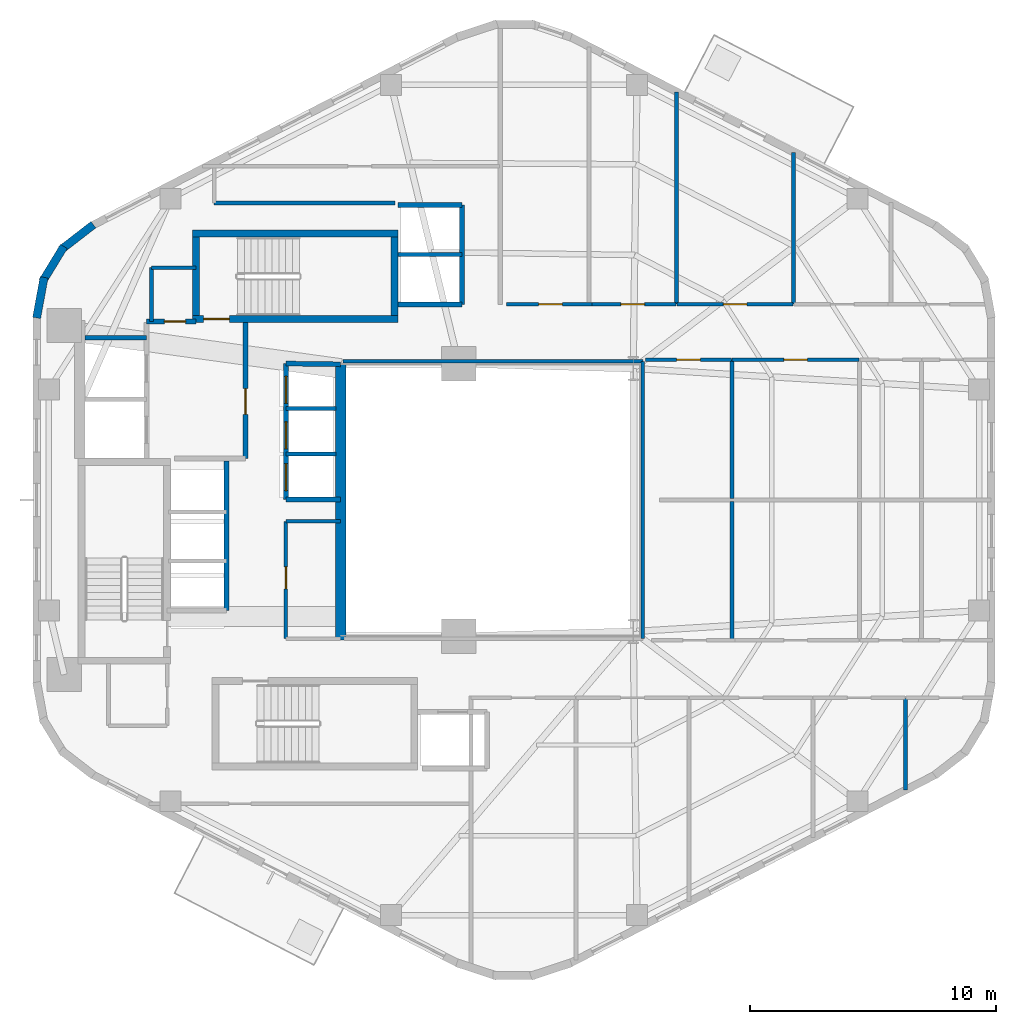
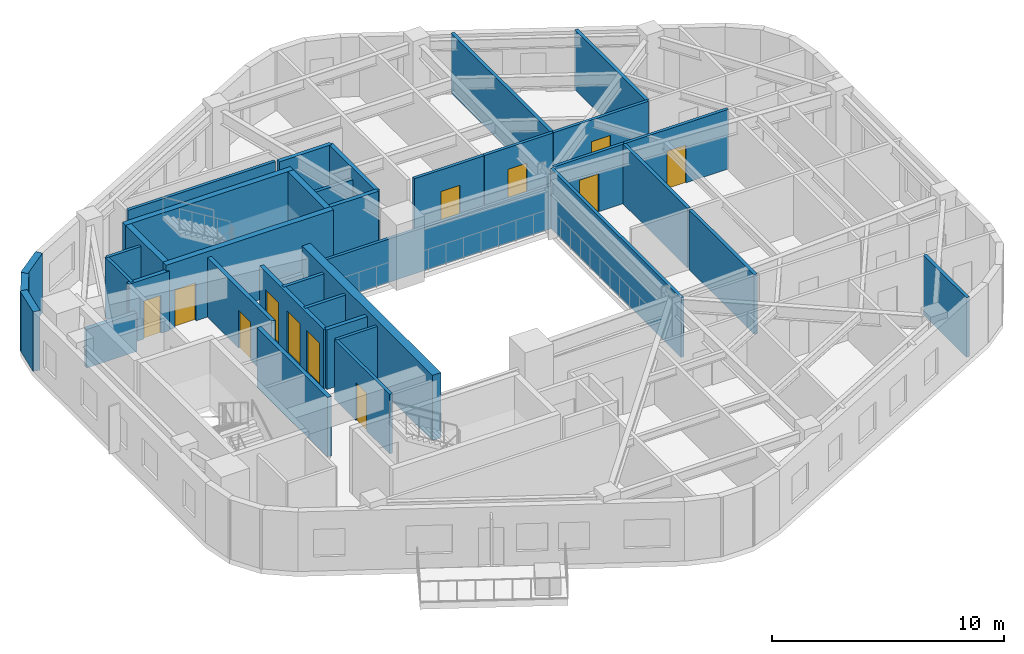
# One storey, part 4 of 8: 38 walls, 12 doors, 12 openings.
"""IFC4 building model written with IfcOpenShell, lengths in metres."""

import ifcopenshell
import ifcopenshell.guid

model = None  # the IFC model being written
_history = None  # IfcOwnerHistory: only IFC2X3 demands one
_inside = {}  # id of a spatial element -> (the spatial element, [elements in it])
_under = {}  # id of a project, library or spatial element -> (it, [spatial elements below it])
_declared = {}  # id of a project -> (the project, [libraries it declares])
_typed = {}  # id of a type object -> (the type object, [elements of that type])
_made_of = {}  # id of a material, layer set ... -> (it, [elements and type objects made of it])


def new_model(schema):
    """Start an empty IFC model of exactly this schema.

    Asked for "IFC4X3", IfcOpenShell would pick the latest addendum, in which some entities
    have other attributes; the version numbers below select the first issue.
    IFC2X3 requires an IfcOwnerHistory on every rooted entity: one is made here for all.
    """
    global model, _history
    if schema == "IFC4X3":
        model = ifcopenshell.file(schema_version=(4, 3, 0, 0))
    else:
        model = ifcopenshell.file(schema=schema)
    _inside.clear()
    _under.clear()
    _declared.clear()
    _typed.clear()
    _made_of.clear()
    _history = None
    if model.schema == "IFC2X3":
        org = make("IfcOrganization", Name="unknown")
        user = make(
            "IfcPersonAndOrganization",
            ThePerson=make("IfcPerson", FamilyName="unknown"),
            TheOrganization=org,
        )
        app = make(
            "IfcApplication",
            ApplicationDeveloper=org,
            Version="unknown",
            ApplicationFullName="unknown",
            ApplicationIdentifier="unknown",
        )
        _history = make(
            "IfcOwnerHistory",
            OwningUser=user,
            OwningApplication=app,
            ChangeAction="ADDED",
            CreationDate=0,
        )
    return model


def make(cls, **values):
    """One entity of the class cls with the attributes given. An attribute that is None is left unset."""
    return model.create_entity(
        cls, **{name: value for name, value in values.items() if value is not None}
    )


def rooted(cls, **values):
    """An entity with a GlobalId (a new one), such as an element, a storey or a relation."""
    return make(cls, GlobalId=ifcopenshell.guid.new(), OwnerHistory=_history, **values)


def si_unit(unit_type, name, prefix=None):
    """IfcSIUnit, for example si_unit("LENGTHUNIT", "METRE", prefix="MILLI")."""
    return make("IfcSIUnit", UnitType=unit_type, Prefix=prefix, Name=name)


def assignment(units):
    """IfcUnitAssignment: the units of a project."""
    return None if units is None else make("IfcUnitAssignment", Units=units)


def point(xyz):
    """IfcCartesianPoint."""
    return None if xyz is None else make("IfcCartesianPoint", Coordinates=xyz)


def direction(xyz):
    """IfcDirection."""
    return None if xyz is None else make("IfcDirection", DirectionRatios=xyz)


def frame(location, z_axis=None, x_axis=None):
    """IfcAxis2Placement3D, a coordinate frame: its origin and axes. An axis left out is left unset."""
    return make(
        "IfcAxis2Placement3D",
        Location=point(location),
        Axis=direction(z_axis),
        RefDirection=direction(x_axis),
    )


def frame_2d(location, x_axis=None):
    """IfcAxis2Placement2D, a coordinate frame in the plane: its origin and x axis."""
    return make(
        "IfcAxis2Placement2D", Location=point(location), RefDirection=direction(x_axis)
    )


def origin():
    """The frame at (0, 0, 0) with its axes left unset."""
    return frame((0.0, 0.0, 0.0))


def place(relative_to, where):
    """IfcLocalPlacement: puts the frame where relative to a parent placement (None: the world)."""
    return make(
        "IfcLocalPlacement", PlacementRelTo=relative_to, RelativePlacement=where
    )


def context(
    kind, dimensions, precision=None, world=None, true_north=None, identifier=None
):
    """IfcGeometricRepresentationContext, for example the 3D "Model" context."""
    return make(
        "IfcGeometricRepresentationContext",
        ContextIdentifier=identifier,
        ContextType=kind,
        CoordinateSpaceDimension=dimensions,
        Precision=precision,
        WorldCoordinateSystem=world,
        TrueNorth=true_north,
    )


def subcontext(parent, identifier, kind, view, scale=None):
    """IfcGeometricRepresentationSubContext, for example "Body" below "Model"."""
    return make(
        "IfcGeometricRepresentationSubContext",
        ContextIdentifier=identifier,
        ContextType=kind,
        ParentContext=parent,
        TargetScale=scale,
        TargetView=view,
    )


def project(units=None, contexts=None):
    """IfcProject with its units and contexts."""
    return rooted(
        "IfcProject",
        Name="project",
        RepresentationContexts=contexts,
        UnitsInContext=assignment(units),
    )


def spatial(cls, under=None, at=None, **own):
    """A site, building, storey or space (cls), placed at a placement, below another one or the project."""
    s = rooted(cls, ObjectPlacement=at, **own)
    if under is not None:
        _under.setdefault(under.id(), (under, []))[1].append(s)
    return s


def profile(cls, at=None, kind="AREA", **sizes):
    """A parametric profile (cls). Its sizes go by their IFC names, for example OverallWidth=200.0."""
    return make(cls, ProfileType=kind, Position=at, **sizes)


def rectangle(**sizes):
    """IfcRectangleProfileDef."""
    return profile("IfcRectangleProfileDef", **sizes)


def extrude(swept, where, along, depth):
    """IfcExtrudedAreaSolid: the profile swept, set in the frame where, extruded along a direction by depth."""
    return make(
        "IfcExtrudedAreaSolid",
        SweptArea=swept,
        Position=where,
        ExtrudedDirection=direction(along),
        Depth=depth,
    )


def shape(context_of_items, identifier, shape_type, items):
    """IfcShapeRepresentation: the items that make up one representation, for example the "Body"."""
    return make(
        "IfcShapeRepresentation",
        ContextOfItems=context_of_items,
        RepresentationIdentifier=identifier,
        RepresentationType=shape_type,
        Items=items,
    )


def material(Name=None, Category=None):
    """IfcMaterial."""
    return make("IfcMaterial", Name=Name, Category=Category)


def layer(
    of_material, thickness, ventilated=None, Name=None, Category=None, Priority=None
):
    """IfcMaterialLayer: one layer of a wall or slab, of a material (None: an air gap)."""
    return make(
        "IfcMaterialLayer",
        Material=of_material,
        LayerThickness=thickness,
        IsVentilated=ventilated,
        Name=Name,
        Category=Category,
        Priority=Priority,
    )


def layer_set(layers, Name=None):
    """IfcMaterialLayerSet."""
    return make("IfcMaterialLayerSet", MaterialLayers=layers, LayerSetName=Name)


def made_of(thing, what):
    """Note that an element or type object is made of a material, layer set ...; save() writes the relation."""
    if what is not None:
        _made_of.setdefault(what.id(), (what, []))[1].append(thing)
    return thing


def type_object(cls, material=None, **own):
    """A type object (cls), such as IfcWallType, which elements share."""
    return made_of(rooted(cls, **own), material)


def element(
    cls,
    number,
    at=None,
    inside=None,
    cuts=None,
    type_object=None,
    material=None,
    context=None,
    identifier="Body",
    shape_type=None,
    held_by="IfcProductDefinitionShape",
    body=None,
    shapes=None,
    **own,
):
    """One element of the class cls, such as IfcWall. Its Tag is "e" and its number.

    at: its placement. inside: the storey or other place that contains it. cuts: it is an
    opening in that element (IfcRelVoidsElement). A single representation is given by context,
    identifier, shape_type and body (its items); several are given by shapes. held_by: the class
    of the entity that holds the representations. save() writes the other relations.
    """
    e = rooted(cls, Tag="e%d" % number, ObjectPlacement=at, **own)
    if body is not None:
        shapes = [shape(context, identifier, shape_type, body)]
    if shapes is not None:
        e.Representation = make(held_by, Representations=shapes)
    if inside is not None:
        _inside.setdefault(inside.id(), (inside, []))[1].append(e)
    if cuts is not None:
        rooted(
            "IfcRelVoidsElement", RelatingBuildingElement=cuts, RelatedOpeningElement=e
        )
    if type_object is not None:
        _typed.setdefault(type_object.id(), (type_object, []))[1].append(e)
    return made_of(e, material)


def fill(opening, filler):
    """IfcRelFillsElement: the door or window that sits in an opening."""
    return rooted(
        "IfcRelFillsElement",
        RelatingOpeningElement=opening,
        RelatedBuildingElement=filler,
    )


def aggregate(whole, parts):
    """IfcRelAggregates: a whole, such as a stair, and the parts it consists of."""
    return rooted("IfcRelAggregates", RelatingObject=whole, RelatedObjects=parts)


def save(model, path):
    """Write the relations noted so far, then the file.

    IfcRelAggregates (storeys below a building ...), IfcRelContainedInSpatialStructure (elements
    in a storey), IfcRelDefinesByType, IfcRelAssociatesMaterial and IfcRelDeclares: one each for
    every whole, place, type object, material and project.
    """
    for whole, parts in _under.values():
        aggregate(whole, parts)
    for where, things in _inside.values():
        rooted(
            "IfcRelContainedInSpatialStructure",
            RelatedElements=things,
            RelatingStructure=where,
        )
    for kind, things in _typed.values():
        rooted("IfcRelDefinesByType", RelatedObjects=things, RelatingType=kind)
    for what, things in _made_of.values():
        rooted("IfcRelAssociatesMaterial", RelatedObjects=things, RelatingMaterial=what)
    for by, libraries in _declared.values():
        rooted("IfcRelDeclares", RelatingContext=by, RelatedDefinitions=libraries)
    model.write(path)


model = new_model("IFC4")

# Units and contexts
model_context = context("Model", 3, precision=1e-05, world=origin(), true_north=direction((0.0, 1.0)))
body_context = subcontext(model_context, "Body", "Model", "MODEL_VIEW")
ifc_project = project(units=[si_unit("LENGTHUNIT", "METRE"), si_unit("AREAUNIT", "SQUARE_METRE"), si_unit("VOLUMEUNIT", "CUBIC_METRE"), si_unit("PLANEANGLEUNIT", "RADIAN"), si_unit("MASSUNIT", "GRAM", prefix="KILO"), si_unit("THERMODYNAMICTEMPERATUREUNIT", "KELVIN"), si_unit("POWERUNIT", "WATT")], contexts=[model_context])

# Site, building, storey
site_placement = place(None, origin())
site = spatial("IfcSite", under=ifc_project, at=site_placement, CompositionType="ELEMENT")
building_placement = place(site_placement, origin())
building = spatial("IfcBuilding", under=site, at=building_placement, Name="Skarre Station Tower", CompositionType="ELEMENT")
storey_placement = place(building_placement, frame((0.0, 0.0, 187.800048828125)))
storey = spatial("IfcBuildingStorey", under=building, at=storey_placement, Name="L51", CompositionType="ELEMENT", Elevation=187.800048828125)

# Wall, opening, door
ifc_material_1 = material(Name="Acoustic Steel-Stud Gypsum Partition", Category="steel")
ifc_layer_1 = layer(ifc_material_1, 0.14990234375, Name="Acoustic Steel-Stud Gypsum Partition")
ifc_layer_set_1 = layer_set([ifc_layer_1], Name="Acoustic Steel-Stud Gypsum Partition")
wall_type_1 = type_object("IfcWallType", Name="Fire-Rated Corridor Acoustic Partition 150", PredefinedType="PARTITIONING", material=ifc_layer_set_1)
wall_1_placement = place(storey_placement, frame((25.320068359375, 23.1298828125, 0.0), z_axis=(0.0, 0.0, 1.0), x_axis=(0.0, -1.0, 0.0)))
wall_1 = element("IfcWall", 1, at=wall_1_placement, inside=storey, type_object=wall_type_1, Name="L51 Interior Partition WL-PT-L51-RC1-W1", PredefinedType="PARTITIONING", context=body_context, shape_type="SweptSolid", body=[
    extrude(rectangle(XDim=4.769775390625, YDim=0.14990234375, at=frame_2d((2.384765625, 0.0))), origin(), (0.0, 0.0, 1.0), 3.139892578125),
])
opening_1_placement = place(wall_1_placement, frame((1.85009765625, 0.0, 0.0)))
opening_1 = element("IfcOpeningElement", 2, at=opening_1_placement, cuts=wall_1, Name="Opening DR-SVC90", PredefinedType="OPENING", context=body_context, shape_type="SweptSolid", body=[
    extrude(rectangle(XDim=0.89990234375, YDim=2.0, at=frame_2d((0.449951171875, 1.0))), frame((0.0, 0.0849609375, 0.0), z_axis=(0.0, -1.0, 0.0), x_axis=(1.0, 0.0, 0.0)), (0.0, 0.0, 1.0), 0.169921875),
])
ifc_material_2 = material(Name="Powder-Coated Hollow-Metal Acoustic Fire Leaf", Category="steel")
door_type_1 = type_object("IfcDoorType", Name="Service & Riser Fire Door FD60 900x2100", OperationType="SINGLE_SWING_LEFT", PredefinedType="DOOR", material=ifc_material_2)
door_1_placement = place(opening_1_placement, origin())
door_1 = element("IfcDoor", 3, at=door_1_placement, inside=storey, type_object=door_type_1, Name="L51 Core IT Room Door", OperationType="SINGLE_SWING_LEFT", OverallHeight=2.0, OverallWidth=0.89990234375, PredefinedType="DOOR", context=body_context, shape_type="SweptSolid", body=[
    extrude(rectangle(XDim=0.89990234375, YDim=2.0, at=frame_2d((0.449951171875, 1.0))), frame((0.0, 0.02490234375, 0.0), z_axis=(0.0, -1.0, 0.0), x_axis=(1.0, 0.0, 0.0)), (0.0, 0.0, 1.0), 0.050048828125),
])
fill(opening_1, door_1)

# Walls
wall_2_placement = place(storey_placement, frame((25.320068359375, 23.1298828125, 0.0), z_axis=(0.0, 0.0, 1.0), x_axis=(1.0, 0.0, 0.0)))
element("IfcWall", 4, at=wall_2_placement, inside=storey, type_object=wall_type_1, Name="L51 Interior Partition WL-PT-L51-RC1-N3", PredefinedType="PARTITIONING", context=body_context, shape_type="SweptSolid", body=[
    extrude(rectangle(XDim=2.22998046875, YDim=0.14990234375, at=frame_2d((1.114990234375, 0.0))), origin(), (0.0, 0.0, 1.0), 3.139892578125),
])
wall_3_placement = place(storey_placement, frame((19.85009765625, 33.449951171875, 0.0), z_axis=(0.0, 0.0, 1.0), x_axis=(0.0, -1.0, 0.0)))
element("IfcWall", 5, at=wall_3_placement, inside=storey, type_object=wall_type_1, Name="L51 Interior Partition WL-PT-L51-CNW-W", PredefinedType="PARTITIONING", context=body_context, shape_type="SweptSolid", body=[
    extrude(rectangle(XDim=2.18994140625, YDim=0.14990234375, at=frame_2d((1.094970703125, 0.0))), origin(), (0.0, 0.0, 1.0), 3.139892578125),
])
wall_4_placement = place(storey_placement, frame((21.659912109375, 33.449951171875, 0.0), z_axis=(0.0, 0.0, 1.0), x_axis=(-1.0, 0.0, 0.0)))
element("IfcWall", 6, at=wall_4_placement, inside=storey, type_object=wall_type_1, Name="L51 Interior Partition WL-PT-L51-CNW-N1", PredefinedType="PARTITIONING", context=body_context, shape_type="SweptSolid", body=[
    extrude(rectangle(XDim=1.809814453125, YDim=0.14990234375, at=frame_2d((0.90478515625, 0.0))), origin(), (0.0, 0.0, 1.0), 3.139892578125),
])
wall_5_placement = place(storey_placement, frame((39.840087890625, 29.639892578125, 0.0), z_axis=(0.0, 0.0, 1.0), x_axis=(-1.0, 0.0, 0.0)))
element("IfcWall", 7, at=wall_5_placement, inside=storey, type_object=wall_type_1, Name="L51 Interior Partition WL-PT-L51-ATRW-N", PredefinedType="PARTITIONING", context=body_context, shape_type="SweptSolid", body=[
    extrude(rectangle(XDim=12.2001953125, YDim=0.14990234375, at=frame_2d((6.10009765625, 0.0))), origin(), (0.0, 0.0, 1.0), 2.281005859375),
])
wall_6_placement = place(storey_placement, frame((39.840087890625, 18.360107421875, 0.0), z_axis=(0.0, 0.0, 1.0), x_axis=(0.0, 1.0, 0.0)))
element("IfcWall", 8, at=wall_6_placement, inside=storey, type_object=wall_type_1, Name="L51 Interior Partition WL-PT-L51-ATRW-E", PredefinedType="PARTITIONING", context=body_context, shape_type="SweptSolid", body=[
    extrude(rectangle(XDim=11.27978515625, YDim=0.14990234375, at=frame_2d((5.639892578125, 0.0))), origin(), (0.0, 0.0, 1.0), 3.139892578125),
])

# Wall, opening, door
wall_7_placement = place(storey_placement, frame((37.76806640625, 31.9599609375, 0.0), z_axis=(0.0, 0.0, 1.0), x_axis=(-1.0, 0.0, 0.0)))
wall_7 = element("IfcWall", 9, at=wall_7_placement, inside=storey, type_object=wall_type_1, Name="L51 Interior Partition WL-PT-L51-NW1-CW", PredefinedType="PARTITIONING", context=body_context, shape_type="SweptSolid", body=[
    extrude(rectangle(XDim=3.47802734375, YDim=0.14990234375, at=frame_2d((1.739013671875, 0.0))), origin(), (0.0, 0.0, 1.0), 3.139892578125),
])
opening_2_placement = place(wall_7_placement, frame((1.201904296875, 0.0, 0.0)))
opening_2 = element("IfcOpeningElement", 10, at=opening_2_placement, cuts=wall_7, Name="Opening DR-FD60", PredefinedType="OPENING", context=body_context, shape_type="SweptSolid", body=[
    extrude(rectangle(XDim=0.9599609375, YDim=2.0, at=frame_2d((0.47998046875, 1.0))), frame((0.0, 0.0849609375, 0.0), z_axis=(0.0, -1.0, 0.0), x_axis=(1.0, 0.0, 0.0)), (0.0, 0.0, 1.0), 0.169921875),
])
ifc_material_3 = material(Name="Nordic White-Oak Veneer Solid-Core Fire Leaf", Category="wood")
door_type_2 = type_object("IfcDoorType", Name="Corridor Suite Entry Fire Door FD60 960x2150", OperationType="SINGLE_SWING_LEFT", PredefinedType="DOOR", material=ifc_material_3)
door_2_placement = place(opening_2_placement, origin())
door_2 = element("IfcDoor", 11, at=door_2_placement, inside=storey, type_object=door_type_2, Name="L51 NW1 Entry Door", OperationType="SINGLE_SWING_LEFT", OverallHeight=2.0, OverallWidth=0.9599609375, PredefinedType="DOOR", context=body_context, shape_type="SweptSolid", body=[
    extrude(rectangle(XDim=0.9599609375, YDim=2.0, at=frame_2d((0.47998046875, 1.0))), frame((0.0, 0.02490234375, 0.0), z_axis=(0.0, -1.0, 0.0), x_axis=(1.0, 0.0, 0.0)), (0.0, 0.0, 1.0), 0.050048828125),
])
fill(opening_2, door_2)

wall_8_placement = place(storey_placement, frame((41.199951171875, 31.9599609375, 0.0), z_axis=(0.0, 0.0, 1.0), x_axis=(-1.0, 0.0, 0.0)))
wall_8 = element("IfcWall", 12, at=wall_8_placement, inside=storey, type_object=wall_type_1, Name="L51 Interior Partition WL-PT-L51-NW2-CW", PredefinedType="PARTITIONING", context=body_context, shape_type="SweptSolid", body=[
    extrude(rectangle(XDim=3.421875, YDim=0.14990234375, at=frame_2d((1.7109375, 0.0))), origin(), (0.0, 0.0, 1.0), 3.139892578125),
])
opening_3_placement = place(wall_8_placement, frame((1.2880859375, 0.0, 0.0)))
opening_3 = element("IfcOpeningElement", 13, at=opening_3_placement, cuts=wall_8, Name="Opening DR-FD60", PredefinedType="OPENING", context=body_context, shape_type="SweptSolid", body=[
    extrude(rectangle(XDim=0.9599609375, YDim=2.0, at=frame_2d((0.47998046875, 1.0))), frame((0.0, 0.0849609375, 0.0), z_axis=(0.0, -1.0, 0.0), x_axis=(1.0, 0.0, 0.0)), (0.0, 0.0, 1.0), 0.169921875),
])
door_3_placement = place(opening_3_placement, origin())
door_3 = element("IfcDoor", 14, at=door_3_placement, inside=storey, type_object=door_type_2, Name="L51 NW2 Entry Door", OperationType="SINGLE_SWING_LEFT", OverallHeight=2.0, OverallWidth=0.9599609375, PredefinedType="DOOR", context=body_context, shape_type="SweptSolid", body=[
    extrude(rectangle(XDim=0.9599609375, YDim=2.0, at=frame_2d((0.47998046875, 1.0))), frame((0.0, 0.02490234375, 0.0), z_axis=(0.0, -1.0, 0.0), x_axis=(1.0, 0.0, 0.0)), (0.0, 0.0, 1.0), 0.050048828125),
])
fill(opening_3, door_3)

wall_9_placement = place(storey_placement, frame((45.95703125, 31.9599609375, 0.0), z_axis=(0.0, 0.0, 1.0), x_axis=(-1.0, 0.0, 0.0)))
wall_9 = element("IfcWall", 15, at=wall_9_placement, inside=storey, type_object=wall_type_1, Name="L51 Interior Partition WL-PT-L51-NW3-CW", PredefinedType="PARTITIONING", context=body_context, shape_type="SweptSolid", body=[
    extrude(rectangle(XDim=4.72509765625, YDim=0.14990234375, at=frame_2d((2.362548828125, 0.0))), origin(), (0.0, 0.0, 1.0), 3.139892578125),
])
opening_4_placement = place(wall_9_placement, frame((1.883056640625, 0.0, 0.0)))
opening_4 = element("IfcOpeningElement", 16, at=opening_4_placement, cuts=wall_9, Name="Opening DR-FD60", PredefinedType="OPENING", context=body_context, shape_type="SweptSolid", body=[
    extrude(rectangle(XDim=0.9599609375, YDim=2.0, at=frame_2d((0.47998046875, 1.0))), frame((0.0, 0.0849609375, 0.0), z_axis=(0.0, -1.0, 0.0), x_axis=(1.0, 0.0, 0.0)), (0.0, 0.0, 1.0), 0.169921875),
])
door_4_placement = place(opening_4_placement, origin())
door_4 = element("IfcDoor", 17, at=door_4_placement, inside=storey, type_object=door_type_2, Name="L51 NW3 Entry Door", OperationType="SINGLE_SWING_LEFT", OverallHeight=2.0, OverallWidth=0.9599609375, PredefinedType="DOOR", context=body_context, shape_type="SweptSolid", body=[
    extrude(rectangle(XDim=0.9599609375, YDim=2.0, at=frame_2d((0.47998046875, 1.0))), frame((0.0, 0.02490234375, 0.0), z_axis=(0.0, -1.0, 0.0), x_axis=(1.0, 0.0, 0.0)), (0.0, 0.0, 1.0), 0.050048828125),
])
fill(opening_4, door_4)

wall_10_placement = place(storey_placement, frame((39.949951171875, 29.7099609375, 0.0), z_axis=(0.0, 0.0, 1.0), x_axis=(1.0, 0.0, 0.0)))
wall_10 = element("IfcWall", 18, at=wall_10_placement, inside=storey, type_object=wall_type_1, Name="L51 Interior Partition WL-PT-L51-EWN1-CW", PredefinedType="PARTITIONING", context=body_context, shape_type="SweptSolid", body=[
    extrude(rectangle(XDim=3.49609375, YDim=0.14990234375, at=frame_2d((1.748046875, 0.0))), origin(), (0.0, 0.0, 1.0), 3.139892578125),
])
opening_5_placement = place(wall_10_placement, frame((1.26806640625, 0.0, 0.0)))
opening_5 = element("IfcOpeningElement", 19, at=opening_5_placement, cuts=wall_10, Name="Opening DR-FD60", PredefinedType="OPENING", context=body_context, shape_type="SweptSolid", body=[
    extrude(rectangle(XDim=0.9599609375, YDim=2.0, at=frame_2d((0.47998046875, 1.0))), frame((0.0, 0.0849609375, 0.0), z_axis=(0.0, -1.0, 0.0), x_axis=(1.0, 0.0, 0.0)), (0.0, 0.0, 1.0), 0.169921875),
])
door_5_placement = place(opening_5_placement, origin())
door_5 = element("IfcDoor", 20, at=door_5_placement, inside=storey, type_object=door_type_2, Name="L51 EWN1 Entry Door", OperationType="SINGLE_SWING_LEFT", OverallHeight=2.0, OverallWidth=0.9599609375, PredefinedType="DOOR", context=body_context, shape_type="SweptSolid", body=[
    extrude(rectangle(XDim=0.9599609375, YDim=2.0, at=frame_2d((0.47998046875, 1.0))), frame((0.0, 0.02490234375, 0.0), z_axis=(0.0, -1.0, 0.0), x_axis=(1.0, 0.0, 0.0)), (0.0, 0.0, 1.0), 0.050048828125),
])
fill(opening_5, door_5)

wall_11_placement = place(storey_placement, frame((43.47607421875, 29.7099609375, 0.0), z_axis=(0.0, 0.0, 1.0), x_axis=(1.0, 0.0, 0.0)))
wall_11 = element("IfcWall", 21, at=wall_11_placement, inside=storey, type_object=wall_type_1, Name="L51 Interior Partition WL-PT-L51-EWN2-CW", PredefinedType="PARTITIONING", context=body_context, shape_type="SweptSolid", body=[
    extrude(rectangle(XDim=5.1650390625, YDim=0.14990234375, at=frame_2d((2.58251953125, 0.0))), origin(), (0.0, 0.0, 1.0), 3.139892578125),
])
opening_6_placement = place(wall_11_placement, frame((2.10205078125, 0.0, 0.0)))
opening_6 = element("IfcOpeningElement", 22, at=opening_6_placement, cuts=wall_11, Name="Opening DR-FD60", PredefinedType="OPENING", context=body_context, shape_type="SweptSolid", body=[
    extrude(rectangle(XDim=0.9599609375, YDim=2.0, at=frame_2d((0.47998046875, 1.0))), frame((0.0, 0.0849609375, 0.0), z_axis=(0.0, -1.0, 0.0), x_axis=(1.0, 0.0, 0.0)), (0.0, 0.0, 1.0), 0.169921875),
])
door_6_placement = place(opening_6_placement, origin())
door_6 = element("IfcDoor", 23, at=door_6_placement, inside=storey, type_object=door_type_2, Name="L51 EWN2 Entry Door", OperationType="SINGLE_SWING_LEFT", OverallHeight=2.0, OverallWidth=0.9599609375, PredefinedType="DOOR", context=body_context, shape_type="SweptSolid", body=[
    extrude(rectangle(XDim=0.9599609375, YDim=2.0, at=frame_2d((0.47998046875, 1.0))), frame((0.0, 0.02490234375, 0.0), z_axis=(0.0, -1.0, 0.0), x_axis=(1.0, 0.0, 0.0)), (0.0, 0.0, 1.0), 0.050048828125),
])
fill(opening_6, door_6)

# Walls
wall_12_placement = place(storey_placement, frame((29.7529296875, 36.080078125, 0.0), z_axis=(0.0, 0.0, 1.0), x_axis=(-1.0, 0.0, 0.0)))
element("IfcWall", 24, at=wall_12_placement, inside=storey, type_object=wall_type_1, Name="L51 Interior Partition WL-PT-L51-CSEAL-1", PredefinedType="PARTITIONING", context=body_context, shape_type="SweptSolid", body=[
    extrude(rectangle(XDim=7.35302734375, YDim=0.14990234375, at=frame_2d((3.676513671875, 0.0))), origin(), (0.0, 0.0, 1.0), 3.139892578125),
])
ifc_material_4 = material(Name="Precast concrete C45/55", Category="concrete")
ifc_layer_2 = layer(ifc_material_4, 0.330078125, Name="Precast concrete C45/55")
ifc_layer_set_2 = layer_set([ifc_layer_2], Name="Precast concrete C45/55")
wall_type_2 = type_object("IfcWallType", Name="Nordic Rounded Corner Precast Wall 330", PredefinedType="STANDARD", material=ifc_layer_set_2)
wall_13_placement = place(storey_placement, frame((15.178955078125, 31.407958984375, 0.0), z_axis=(0.0, 0.0, 1.0), x_axis=(0.180717642671, 0.983535019014, 0.0)))
element("IfcWall", 25, at=wall_13_placement, inside=storey, type_object=wall_type_2, Name="L51 Rounded Corner Precast Wall F2-1", PredefinedType="STANDARD", context=body_context, shape_type="SweptSolid", body=[
    extrude(rectangle(XDim=1.676513671875, YDim=0.330078125, at=frame_2d((0.83837890625, 0.0))), origin(), (0.0, 0.0, 1.0), 3.139892578125),
])
wall_14_placement = place(storey_placement, frame((15.4150390625, 32.882080078125, 0.0), z_axis=(0.0, 0.0, 1.0), x_axis=(0.520325409202, 0.853968072318, 0.0)))
element("IfcWall", 26, at=wall_14_placement, inside=storey, type_object=wall_type_2, Name="L51 Rounded Corner Precast Wall F2-2", PredefinedType="STANDARD", context=body_context, shape_type="SweptSolid", body=[
    extrude(rectangle(XDim=1.677978515625, YDim=0.330078125, at=frame_2d((0.8388671875, 0.0))), origin(), (0.0, 0.0, 1.0), 3.139892578125),
])
wall_15_placement = place(storey_placement, frame((16.162109375, 34.175048828125, 0.0), z_axis=(0.0, 0.0, 1.0), x_axis=(0.791409877269, 0.611285862884, 0.0)))
element("IfcWall", 27, at=wall_15_placement, inside=storey, type_object=wall_type_2, Name="L51 Rounded Corner Precast Wall F2-3", PredefinedType="STANDARD", context=body_context, shape_type="SweptSolid", body=[
    extrude(rectangle(XDim=1.676513671875, YDim=0.330078125, at=frame_2d((0.83837890625, 0.0))), origin(), (0.0, 0.0, 1.0), 3.139892578125),
])

# Wall, opening, door
ifc_material_5 = material(Name="Concrete C50/60", Category="concrete")
ifc_layer_3 = layer(ifc_material_5, 0.280029296875, Name="Concrete C50/60")
ifc_layer_set_3 = layer_set([ifc_layer_3], Name="Concrete C50/60")
wall_type_3 = type_object("IfcWallType", Name="RC Core Shear Wall 280", PredefinedType="SHEAR", material=ifc_layer_set_3)
wall_16_placement = place(storey_placement, frame((21.52001953125, 31.360107421875, 0.0), z_axis=(0.0, 0.0, 1.0), x_axis=(1.0, 0.0, 0.0)))
wall_16 = element("IfcWall", 28, at=wall_16_placement, inside=storey, type_object=wall_type_3, Name="L51 Stair ST-3 South Shear Wall", PredefinedType="SHEAR", context=body_context, shape_type="SweptSolid", body=[
    extrude(rectangle(XDim=8.35986328125, YDim=0.280029296875, at=frame_2d((4.179931640625, 0.0))), origin(), (0.0, 0.0, 1.0), 3.449951171875),
])
opening_7_placement = place(wall_16_placement, frame((0.449951171875, 0.0, 0.0)))
opening_7 = element("IfcOpeningElement", 29, at=opening_7_placement, cuts=wall_16, Name="Opening DR-FD90", PredefinedType="OPENING", context=body_context, shape_type="SweptSolid", body=[
    extrude(rectangle(XDim=1.050048828125, YDim=2.0, at=frame_2d((0.52490234375, 1.0))), frame((0.0, 0.14990234375, 0.0), z_axis=(0.0, -1.0, 0.0), x_axis=(1.0, 0.0, 0.0)), (0.0, 0.0, 1.0), 0.300048828125),
])
ifc_material_6 = material(Name="Fire-Rated Insulated Steel Frame & Timber Core Leaf", Category="steel")
door_type_3 = type_object("IfcDoorType", Name="Stair & FSAE Lobby Fire Door FD90 1050x2150", OperationType="SINGLE_SWING_RIGHT", PredefinedType="DOOR", material=ifc_material_6)
door_7_placement = place(opening_7_placement, origin())
door_7 = element("IfcDoor", 30, at=door_7_placement, inside=storey, type_object=door_type_3, Name="L51 Stair ST-3 & FSAE Lobby Direct Exit Door", OperationType="SINGLE_SWING_LEFT", OverallHeight=2.0, OverallWidth=1.050048828125, PredefinedType="DOOR", context=body_context, shape_type="SweptSolid", body=[
    extrude(rectangle(XDim=1.050048828125, YDim=2.0, at=frame_2d((0.52490234375, 1.0))), frame((0.0, 0.02490234375, 0.0), z_axis=(0.0, -1.0, 0.0), x_axis=(1.0, 0.0, 0.0)), (0.0, 0.0, 1.0), 0.050048828125),
])
fill(opening_7, door_7)

# Walls
wall_17_placement = place(storey_placement, frame((29.8798828125, 34.840087890625, 0.0), z_axis=(0.0, 0.0, 1.0), x_axis=(-1.0, 0.0, 0.0)))
element("IfcWall", 31, at=wall_17_placement, inside=storey, type_object=wall_type_3, Name="L51 Stair ST-3 North Shear Wall", PredefinedType="SHEAR", context=body_context, shape_type="SweptSolid", body=[
    extrude(rectangle(XDim=8.35986328125, YDim=0.280029296875, at=frame_2d((4.179931640625, 0.0))), origin(), (0.0, 0.0, 1.0), 3.449951171875),
])
for number, where, z_axis, x_axis, name in (
    (32, (21.659912109375, 34.699951171875, 0.0), (0.0, 0.0, 1.0), (0.0, -1.0, 0.0), "L51 Stair ST-3 West Shear Wall"),
    (33, (29.739990234375, 31.5, 0.0), (0.0, 0.0, 1.0), (0.0, 1.0, 0.0), "L51 Stair ST-3 East Shear Wall"),
):
    element("IfcWall", number, at=place(storey_placement, frame(where, z_axis=z_axis, x_axis=x_axis)), inside=storey, type_object=wall_type_3, Name=name, PredefinedType="SHEAR", context=body_context, shape_type="SweptSolid", body=[
        extrude(rectangle(XDim=3.199951171875, YDim=0.280029296875, at=frame_2d((1.60009765625, 0.0))), origin(), (0.0, 0.0, 1.0), 3.449951171875),
    ])
ifc_material_7 = material(Name="Concrete C60/75", Category="concrete")
ifc_layer_4 = layer(ifc_material_7, 0.419921875, Name="Concrete C60/75")
ifc_layer_set_4 = layer_set([ifc_layer_4], Name="Concrete C60/75")
wall_type_4 = type_object("IfcWallType", Name="RC Core Shear Wall 420", PredefinedType="SHEAR", material=ifc_layer_set_4)
wall_18_placement = place(storey_placement, frame((27.550048828125, 29.550048828125, 0.0), z_axis=(0.0, 0.0, 1.0), x_axis=(0.0, -1.0, 0.0)))
element("IfcWall", 34, at=wall_18_placement, inside=storey, type_object=wall_type_4, Name="L51 Core East Atrium Shear Wall", PredefinedType="SHEAR", context=body_context, shape_type="SweptSolid", body=[
    extrude(rectangle(XDim=11.25, YDim=0.419921875, at=frame_2d((5.625, 0.0))), origin(), (0.0, 0.0, 1.0), 3.449951171875),
])

# Wall, opening, door
ifc_material_8 = material(Name="Gypsum Concrete Shaft Assembly C30/37", Category="concrete")
ifc_layer_5 = layer(ifc_material_8, 0.199951171875, Name="Gypsum Concrete Shaft Assembly C30/37")
ifc_layer_set_5 = layer_set([ifc_layer_5], Name="Gypsum Concrete Shaft Assembly C30/37")
wall_type_5 = type_object("IfcWallType", Name="Shaft & Core Fire Partition 200", PredefinedType="PARTITIONING", material=ifc_layer_set_5)
wall_19_placement = place(storey_placement, frame((23.679931640625, 25.679931640625, 0.0), z_axis=(0.0, 0.0, 1.0), x_axis=(0.0, 1.0, 0.0)))
wall_19 = element("IfcWall", 35, at=wall_19_placement, inside=storey, type_object=wall_type_5, Name="L51 Interior Partition WL-PT-L51-FSAE-E", PredefinedType="PARTITIONING", context=body_context, shape_type="SweptSolid", body=[
    extrude(rectangle(XDim=5.5400390625, YDim=0.199951171875, at=frame_2d((2.77001953125, 0.0))), origin(), (0.0, 0.0, 1.0), 3.139892578125),
])
opening_8_placement = place(wall_19_placement, frame((1.800048828125, 0.0, 0.0)))
opening_8 = element("IfcOpeningElement", 36, at=opening_8_placement, cuts=wall_19, Name="Opening DR-FD90", PredefinedType="OPENING", context=body_context, shape_type="SweptSolid", body=[
    extrude(rectangle(XDim=1.050048828125, YDim=2.0, at=frame_2d((0.52490234375, 1.0))), frame((0.0, 0.10986328125, 0.0), z_axis=(0.0, -1.0, 0.0), x_axis=(1.0, 0.0, 0.0)), (0.0, 0.0, 1.0), 0.219970703125),
])
door_8_placement = place(opening_8_placement, origin())
door_8 = element("IfcDoor", 37, at=door_8_placement, inside=storey, type_object=door_type_3, Name="L51 FSAE Lobby Fire Door", OperationType="SINGLE_SWING_RIGHT", OverallHeight=2.0, OverallWidth=1.050048828125, PredefinedType="DOOR", context=body_context, shape_type="SweptSolid", body=[
    extrude(rectangle(XDim=1.050048828125, YDim=2.0, at=frame_2d((0.52490234375, 1.0))), frame((0.0, 0.02490234375, 0.0), z_axis=(0.0, -1.0, 0.0), x_axis=(1.0, 0.0, 0.0)), (0.0, 0.0, 1.0), 0.050048828125),
])
fill(opening_8, door_8)

wall_20_placement = place(storey_placement, frame((21.659912109375, 31.260009765625, 0.0), z_axis=(0.0, 0.0, 1.0), x_axis=(-1.0, 0.0, 0.0)))
wall_20 = element("IfcWall", 38, at=wall_20_placement, inside=storey, type_object=wall_type_5, Name="L51 Interior Partition WL-PT-L51-FSAE-N", PredefinedType="PARTITIONING", context=body_context, shape_type="SweptSolid", body=[
    extrude(rectangle(XDim=2.010009765625, YDim=0.199951171875, at=frame_2d((1.0048828125, 0.0))), origin(), (0.0, 0.0, 1.0), 3.139892578125),
])
opening_9_placement = place(wall_20_placement, frame((0.419921875, 0.0, 0.0)))
opening_9 = element("IfcOpeningElement", 39, at=opening_9_placement, cuts=wall_20, Name="Opening DR-SVC86", PredefinedType="OPENING", context=body_context, shape_type="SweptSolid", body=[
    extrude(rectangle(XDim=0.860107421875, YDim=2.0, at=frame_2d((0.43017578125, 1.0))), frame((0.0, 0.10986328125, 0.0), z_axis=(0.0, -1.0, 0.0), x_axis=(1.0, 0.0, 0.0)), (0.0, 0.0, 1.0), 0.219970703125),
])
door_type_4 = type_object("IfcDoorType", Name="Compact Riser Fire Door FD60 860x2100", OperationType="SINGLE_SWING_LEFT", PredefinedType="DOOR", material=ifc_material_2)
door_9_placement = place(opening_9_placement, origin())
door_9 = element("IfcDoor", 40, at=door_9_placement, inside=storey, type_object=door_type_4, Name="L51 Core Service Room Lobby Door", OperationType="SINGLE_SWING_LEFT", OverallHeight=2.0, OverallWidth=0.860107421875, PredefinedType="DOOR", context=body_context, shape_type="SweptSolid", body=[
    extrude(rectangle(XDim=0.860107421875, YDim=2.0, at=frame_2d((0.43017578125, 1.0))), frame((0.0, 0.02490234375, 0.0), z_axis=(0.0, -1.0, 0.0), x_axis=(1.0, 0.0, 0.0)), (0.0, 0.0, 1.0), 0.050048828125),
])
fill(opening_9, door_9)

# Walls
wall_21_placement = place(storey_placement, frame((19.64990234375, 30.60009765625, 0.0), z_axis=(0.0, 0.0, 1.0), x_axis=(-1.0, 0.0, 0.0)))
element("IfcWall", 41, at=wall_21_placement, inside=storey, type_object=wall_type_5, Name="L51 Interior Partition WL-PT-L51-FF-N", PredefinedType="PARTITIONING", context=body_context, shape_type="SweptSolid", body=[
    extrude(rectangle(XDim=2.5, YDim=0.199951171875, at=frame_2d((1.25, 0.0))), origin(), (0.0, 0.0, 1.0), 2.0400390625),
])
wall_22_placement = place(storey_placement, frame((32.47998046875, 31.949951171875, 0.0), z_axis=(0.0, 0.0, 1.0), x_axis=(0.0, 1.0, 0.0)))
element("IfcWall", 42, at=wall_22_placement, inside=storey, type_object=wall_type_5, Name="L51 Interior Partition WL-PT-L51-EX-E", PredefinedType="PARTITIONING", context=body_context, shape_type="SweptSolid", body=[
    extrude(rectangle(XDim=4.050048828125, YDim=0.199951171875, at=frame_2d((2.02490234375, 0.0))), origin(), (0.0, 0.0, 1.0), 3.139892578125),
])
for number, where, z_axis, x_axis, name in (
    (43, (29.8798828125, 36.0, 0.0), (0.0, 0.0, 1.0), (1.0, 0.0, 0.0), "L51 Interior Partition WL-PT-L51-EX-N"),
    (44, (32.47998046875, 31.949951171875, 0.0), (0.0, 0.0, 1.0), (-1.0, 0.0, 0.0), "L51 Interior Partition WL-PT-L51-EX-S"),
):
    element("IfcWall", number, at=place(storey_placement, frame(where, z_axis=z_axis, x_axis=x_axis)), inside=storey, type_object=wall_type_5, Name=name, PredefinedType="PARTITIONING", context=body_context, shape_type="SweptSolid", body=[
        extrude(rectangle(XDim=2.60009765625, YDim=0.199951171875, at=frame_2d((1.300048828125, 0.0))), origin(), (0.0, 0.0, 1.0), 3.139892578125),
    ])
wall_23_placement = place(storey_placement, frame((29.875, 33.97998046875, 0.0), z_axis=(0.0, 0.0, 1.0), x_axis=(1.0, 0.0, 0.0)))
element("IfcWall", 45, at=wall_23_placement, inside=storey, type_object=wall_type_5, Name="L51 Interior Partition WL-PT-L51-EX-DIV", PredefinedType="PARTITIONING", context=body_context, shape_type="SweptSolid", body=[
    extrude(rectangle(XDim=2.60498046875, YDim=0.159912109375, at=frame_2d((1.302490234375, 0.0))), origin(), (0.0, 0.0, 1.0), 2.531982421875),
])
wall_24_placement = place(storey_placement, frame((22.89990234375, 19.5, 0.0), z_axis=(0.0, 0.0, 1.0), x_axis=(0.0, 1.0, 0.0)))
element("IfcWall", 46, at=wall_24_placement, inside=storey, type_object=wall_type_5, Name="L51 Interior Partition WL-PT-L51-B3-E", PredefinedType="PARTITIONING", context=body_context, shape_type="SweptSolid", body=[
    extrude(rectangle(XDim=6.0849609375, YDim=0.199951171875, at=frame_2d((3.04248046875, 0.0))), origin(), (0.0, 0.0, 1.0), 3.139892578125),
])

# Wall, openings, doors
wall_25_placement = place(storey_placement, frame((25.320068359375, 29.550048828125, 0.0), z_axis=(0.0, 0.0, 1.0), x_axis=(0.0, -1.0, 0.0)))
wall_25 = element("IfcWall", 47, at=wall_25_placement, inside=storey, type_object=wall_type_5, Name="L51 Interior Partition WL-PT-L51-B2-W", PredefinedType="PARTITIONING", context=body_context, shape_type="SweptSolid", body=[
    extrude(rectangle(XDim=5.530029296875, YDim=0.199951171875, at=frame_2d((2.76513671875, 0.0))), origin(), (0.0, 0.0, 1.0), 3.139892578125),
])
opening_10_placement = place(wall_25_placement, frame((0.52001953125, 0.0, 0.0)))
opening_10 = element("IfcOpeningElement", 48, at=opening_10_placement, cuts=wall_25, Name="Opening LD-P6", PredefinedType="OPENING", context=body_context, shape_type="SweptSolid", body=[
    extrude(rectangle(XDim=1.10009765625, YDim=2.199951171875, at=frame_2d((0.550048828125, 1.10009765625))), frame((0.0, 0.10986328125, 0.0), z_axis=(0.0, -1.0, 0.0), x_axis=(1.0, 0.0, 0.0)), (0.0, 0.0, 1.0), 0.219970703125),
])
opening_11_placement = place(wall_25_placement, frame((2.3701171875, 0.0, 0.0)))
opening_11 = element("IfcOpeningElement", 49, at=opening_11_placement, cuts=wall_25, Name="Opening LD-P5", PredefinedType="OPENING", context=body_context, shape_type="SweptSolid", body=[
    extrude(rectangle(XDim=1.10009765625, YDim=2.199951171875, at=frame_2d((0.550048828125, 1.10009765625))), frame((0.0, 0.10986328125, 0.0), z_axis=(0.0, -1.0, 0.0), x_axis=(1.0, 0.0, 0.0)), (0.0, 0.0, 1.0), 0.219970703125),
])
opening_12_placement = place(wall_25_placement, frame((4.070068359375, 0.0, 0.0)))
opening_12 = element("IfcOpeningElement", 50, at=opening_12_placement, cuts=wall_25, Name="Opening LD-P4", PredefinedType="OPENING", context=body_context, shape_type="SweptSolid", body=[
    extrude(rectangle(XDim=1.10009765625, YDim=2.199951171875, at=frame_2d((0.550048828125, 1.10009765625))), frame((0.0, 0.10986328125, 0.0), z_axis=(0.0, -1.0, 0.0), x_axis=(1.0, 0.0, 0.0)), (0.0, 0.0, 1.0), 0.219970703125),
])
ifc_material_9 = material(Name="Brushed Bronze Stainless Steel Sliding Leaves", Category="steel")
door_type_5 = type_object("IfcDoorType", Name="Passenger Elevator Center-Parting Sliding Door 1100x2200", OperationType="SLIDING_TO_LEFT", PredefinedType="DOOR", material=ifc_material_9)
door_10_placement = place(opening_10_placement, origin())
door_10 = element("IfcDoor", 51, at=door_10_placement, inside=storey, type_object=door_type_5, Name="L51 Passenger Lift LF-P6 Landing Door", OperationType="SLIDING_TO_LEFT", OverallHeight=2.199951171875, OverallWidth=1.10009765625, PredefinedType="DOOR", context=body_context, shape_type="SweptSolid", body=[
    extrude(rectangle(XDim=1.10009765625, YDim=2.199951171875, at=frame_2d((0.550048828125, 1.10009765625))), frame((0.0, 0.02490234375, 0.0), z_axis=(0.0, -1.0, 0.0), x_axis=(1.0, 0.0, 0.0)), (0.0, 0.0, 1.0), 0.050048828125),
])
fill(opening_10, door_10)
door_11_placement = place(opening_11_placement, origin())
door_11 = element("IfcDoor", 52, at=door_11_placement, inside=storey, type_object=door_type_5, Name="L51 Passenger Lift LF-P5 Landing Door", OperationType="SLIDING_TO_LEFT", OverallHeight=2.199951171875, OverallWidth=1.10009765625, PredefinedType="DOOR", context=body_context, shape_type="SweptSolid", body=[
    extrude(rectangle(XDim=1.10009765625, YDim=2.199951171875, at=frame_2d((0.550048828125, 1.10009765625))), frame((0.0, 0.02490234375, 0.0), z_axis=(0.0, -1.0, 0.0), x_axis=(1.0, 0.0, 0.0)), (0.0, 0.0, 1.0), 0.050048828125),
])
fill(opening_11, door_11)
door_12_placement = place(opening_12_placement, origin())
door_12 = element("IfcDoor", 53, at=door_12_placement, inside=storey, type_object=door_type_5, Name="L51 Passenger Lift LF-P4 Landing Door", OperationType="SLIDING_TO_LEFT", OverallHeight=2.199951171875, OverallWidth=1.10009765625, PredefinedType="DOOR", context=body_context, shape_type="SweptSolid", body=[
    extrude(rectangle(XDim=1.10009765625, YDim=2.199951171875, at=frame_2d((0.550048828125, 1.10009765625))), frame((0.0, 0.02490234375, 0.0), z_axis=(0.0, -1.0, 0.0), x_axis=(1.0, 0.0, 0.0)), (0.0, 0.0, 1.0), 0.050048828125),
])
fill(opening_12, door_12)

# Walls
wall_26_placement = place(storey_placement, frame((27.550048828125, 29.52001953125, 0.0), z_axis=(0.0, 0.0, 1.0), x_axis=(-0.999909343457, 0.013464949556, 0.0)))
element("IfcWall", 54, at=wall_26_placement, inside=storey, type_object=wall_type_5, Name="L51 Interior Partition WL-PT-L51-B2-N", PredefinedType="PARTITIONING", context=body_context, shape_type="SweptSolid", body=[
    extrude(rectangle(XDim=2.230224609375, YDim=0.199951171875, at=frame_2d((1.115234375, 0.0))), origin(), (0.0, 0.0, 1.0), 2.0400390625),
])
wall_27_placement = place(storey_placement, frame((25.320068359375, 24.02001953125, 0.0), z_axis=(0.0, 0.0, 1.0), x_axis=(1.0, 0.0, 0.0)))
element("IfcWall", 55, at=wall_27_placement, inside=storey, type_object=wall_type_5, Name="L51 Interior Partition WL-PT-L51-B2-S", PredefinedType="PARTITIONING", context=body_context, shape_type="SweptSolid", body=[
    extrude(rectangle(XDim=2.22998046875, YDim=0.199951171875, at=frame_2d((1.114990234375, 0.0))), origin(), (0.0, 0.0, 1.0), 3.139892578125),
])
for number, where, z_axis, x_axis, name in (
    (56, (25.320068359375, 25.8701171875, 0.0), (0.0, 0.0, 1.0), (1.0, 0.0, 0.0), "L51 Interior Partition WL-PT-L51-B2-D258"),
    (57, (25.320068359375, 27.719970703125, 0.0), (0.0, 0.0, 1.0), (1.0, 0.0, 0.0), "L51 Interior Partition WL-PT-L51-B2-D277"),
):
    element("IfcWall", number, at=place(storey_placement, frame(where, z_axis=z_axis, x_axis=x_axis)), inside=storey, type_object=wall_type_5, Name=name, PredefinedType="PARTITIONING", context=body_context, shape_type="SweptSolid", body=[
        extrude(rectangle(XDim=2.030029296875, YDim=0.159912109375, at=frame_2d((1.01513671875, 0.0))), origin(), (0.0, 0.0, 1.0), 3.139892578125),
    ])
ifc_layer_6 = layer(ifc_material_1, 0.1650390625, Name="Acoustic Steel-Stud Gypsum Partition")
ifc_layer_set_6 = layer_set([ifc_layer_6], Name="Acoustic Steel-Stud Gypsum Partition")
wall_type_6 = type_object("IfcWallType", Name="Suite Demising Acoustic Partition 165", PredefinedType="PARTITIONING", material=ifc_layer_set_6)
wall_28_placement = place(storey_placement, frame((41.216064453125, 31.969970703125, 0.0), z_axis=(0.0, 0.0, 1.0), x_axis=(0.0, 1.0, 0.0)))
element("IfcWall", 58, at=wall_28_placement, inside=storey, type_object=wall_type_6, Name="L51 Interior Partition WL-PT-L51-NW-P2", PredefinedType="PARTITIONING", context=body_context, shape_type="SweptSolid", body=[
    extrude(rectangle(XDim=8.625, YDim=0.1650390625, at=frame_2d((4.3125, 0.0))), origin(), (0.0, 0.0, 1.0), 3.139892578125),
])
wall_29_placement = place(storey_placement, frame((45.972900390625, 31.969970703125, 0.0), z_axis=(0.0, 0.0, 1.0), x_axis=(0.0, 1.0, 0.0)))
element("IfcWall", 59, at=wall_29_placement, inside=storey, type_object=wall_type_6, Name="L51 Interior Partition WL-PT-L51-NW-P3", PredefinedType="PARTITIONING", context=body_context, shape_type="SweptSolid", body=[
    extrude(rectangle(XDim=6.169921875, YDim=0.1650390625, at=frame_2d((3.0849609375, 0.0))), origin(), (0.0, 0.0, 1.0), 3.139892578125),
])
for number, where, z_axis, x_axis, name in (
    (60, (43.4609375, 24.070068359375, 0.0), (0.0, 0.0, 1.0), (0.0, 1.0, 0.0), "L51 Interior Partition WL-PT-L51-EWN-P1"),
    (61, (43.4609375, 18.2900390625, 0.0), (0.0, 0.0, 1.0), (0.0, 1.0, 0.0), "L51 Interior Partition WL-PT-L51-EWS-P1"),
):
    element("IfcWall", number, at=place(storey_placement, frame(where, z_axis=z_axis, x_axis=x_axis)), inside=storey, type_object=wall_type_6, Name=name, PredefinedType="PARTITIONING", context=body_context, shape_type="SweptSolid", body=[
        extrude(rectangle(XDim=5.639892578125, YDim=0.1650390625, at=frame_2d((2.81982421875, 0.0))), origin(), (0.0, 0.0, 1.0), 3.139892578125),
    ])
wall_30_placement = place(storey_placement, frame((50.529052734375, 12.2119140625, 0.0), z_axis=(0.0, 0.0, 1.0), x_axis=(0.0, 1.0, 0.0)))
element("IfcWall", 62, at=wall_30_placement, inside=storey, type_object=wall_type_6, Name="L51 Interior Partition WL-PT-L51-SW-P4", PredefinedType="PARTITIONING", context=body_context, shape_type="SweptSolid", body=[
    extrude(rectangle(XDim=3.718017578125, YDim=0.1650390625, at=frame_2d((1.85888671875, 0.0))), origin(), (0.0, 0.0, 1.0), 3.139892578125),
])

save(model, "model.ifc")
